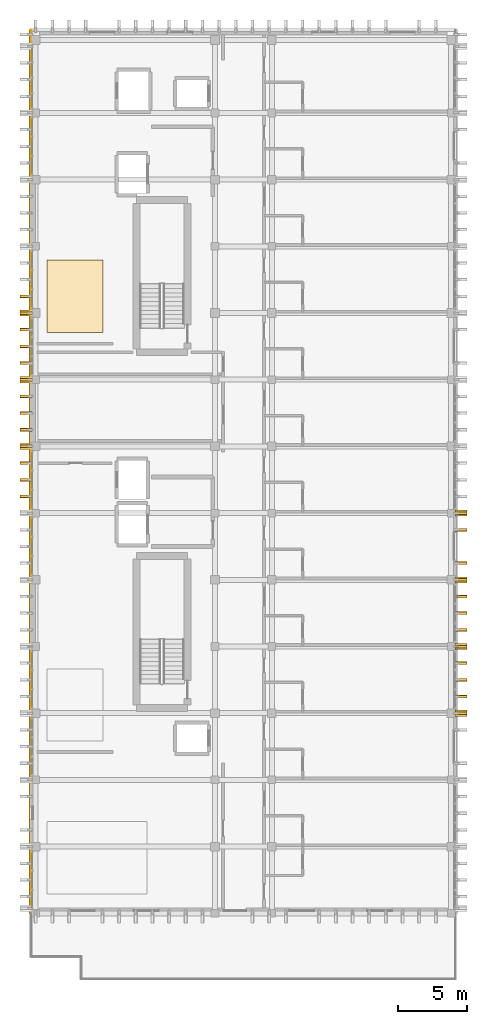
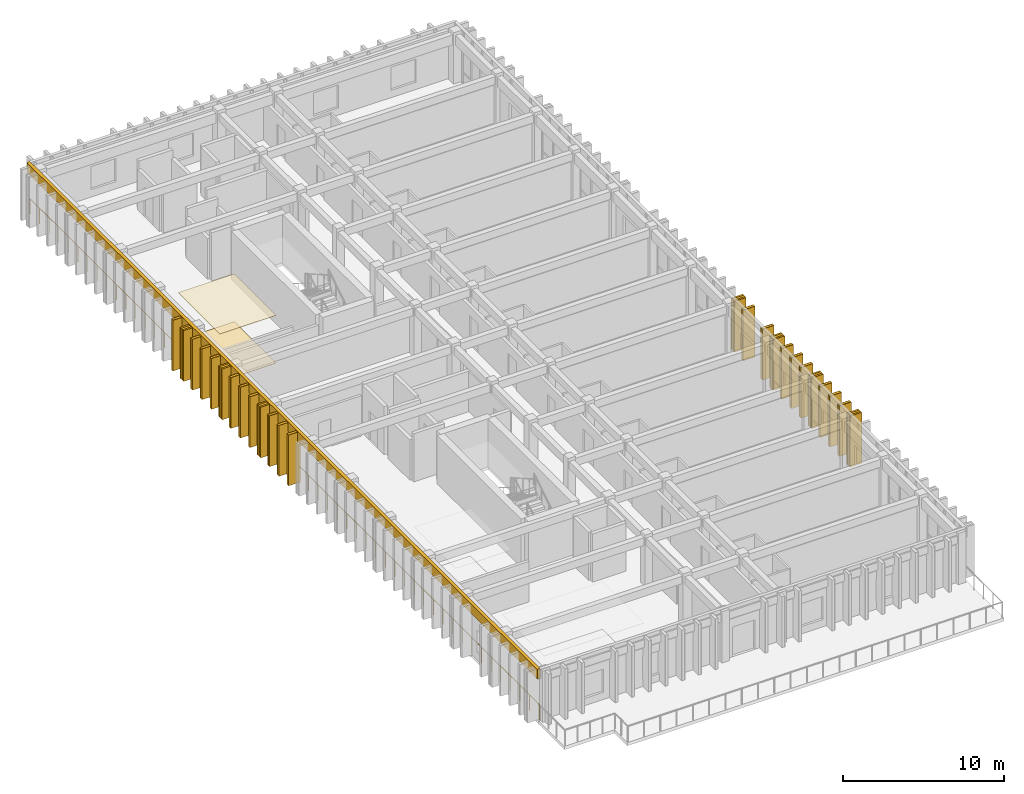
# One storey, part 48 of 50: 28 coverings, 25 shading devices, 1 railing.
"""IFC4 building model written with IfcOpenShell, lengths in metres."""

from ifc_helpers import new_model, si_unit, direction, frame, origin, origin_2d, place, context, subcontext, project, spatial, polyline, rectangle, circle, outline, extrude, material, layer, layer_set, type_object, element, save


model = new_model("IFC4")

# Units and contexts
model_context = context("Model", 3, precision=1e-05, world=origin(), true_north=direction((0.0, 1.0)))
body_context = subcontext(model_context, "Body", "Model", "MODEL_VIEW")
ifc_project = project(units=[si_unit("LENGTHUNIT", "METRE"), si_unit("AREAUNIT", "SQUARE_METRE"), si_unit("VOLUMEUNIT", "CUBIC_METRE"), si_unit("PLANEANGLEUNIT", "RADIAN"), si_unit("MASSUNIT", "GRAM", prefix="KILO")], contexts=[model_context])

# Site, building, storey
site_placement = place(None, origin())
site = spatial("IfcSite", under=ifc_project, at=site_placement, CompositionType="ELEMENT")
building_placement = place(site_placement, origin())
building = spatial("IfcBuilding", under=site, at=building_placement, Name="Nakhvara Creek Congress Hotel", CompositionType="ELEMENT")
storey_placement = place(building_placement, frame((0.0, 0.0, 42.60009765625)))
storey = spatial("IfcBuildingStorey", under=building, at=storey_placement, Name="L10", CompositionType="ELEMENT", Elevation=42.60009765625)

# Coverings
ifc_material_1 = material(Name="Acoustic mineral-fibre and gypsum ceiling board")
ifc_layer_1 = layer(ifc_material_1, 0.0400390625)
ifc_layer_set_1 = layer_set([ifc_layer_1], Name="Acoustic mineral-fibre and gypsum ceiling board")
covering_type_1 = type_object("IfcCoveringType", Name="COV-CEIL-AC", PredefinedType="CEILING", material=ifc_layer_set_1)
covering_1_placement = place(storey_placement, frame((0.0, 0.0, 3.625)))
element("IfcCovering", 1, at=covering_1_placement, inside=storey, type_object=covering_type_1, Name="Acoustic Ceiling L10-WSV-02", PredefinedType="CEILING", context=body_context, shape_type="SweptSolid", body=[
    extrude(outline(polyline([(150.25, 104.199951171875), (154.300048828125, 104.199951171875), (154.300048828125, 109.39990234375), (150.25, 109.39990234375), (150.25, 104.199951171875)])), origin(), (0.0, 0.0, 1.0), 0.034912109375),
])
ifc_material_2 = material(Name="Honed pale Omani limestone architectural cladding", Category="masonry")
ifc_layer_2 = layer(ifc_material_2, 0.219970703125)
ifc_layer_set_2 = layer_set([ifc_layer_2], Name="Honed pale Omani limestone architectural cladding")
covering_type_2 = type_object("IfcCoveringType", Name="COV-FIN-850", PredefinedType="CLADDING", material=ifc_layer_set_2)
covering_2_placement = place(storey_placement, frame((180.054931640625, 76.800048828125, 0.0), z_axis=(0.0, 0.0, 1.0), x_axis=(0.0, 1.0, 0.0)))
element("IfcCovering", 2, at=covering_2_placement, inside=storey, type_object=covering_type_2, Name="Pale Limestone Fin Cladding CF01-2314", PredefinedType="CLADDING", context=body_context, shape_type="SweptSolid", body=[
    extrude(rectangle(XDim=0.43994140625, YDim=0.85009765625, at=origin_2d()), origin(), (0.0, 0.0, 1.0), 3.860107421875),
])
for number, where, z_axis, x_axis, name in (
    (3, (180.054931640625, 78.0, 0.0), (0.0, 0.0, 1.0), (0.0, 1.0, 0.0), "Pale Limestone Fin Cladding CF01-2316"),
    (4, (180.054931640625, 79.199951171875, 0.0), (0.0, 0.0, 1.0), (0.0, 1.0, 0.0), "Pale Limestone Fin Cladding CF01-2318"),
    (5, (180.054931640625, 80.39990234375, 0.0), (0.0, 0.0, 1.0), (0.0, 1.0, 0.0), "Pale Limestone Fin Cladding CF01-2320"),
):
    element("IfcCovering", number, at=place(storey_placement, frame(where, z_axis=z_axis, x_axis=x_axis)), inside=storey, type_object=covering_type_2, Name=name, PredefinedType="CLADDING", context=body_context, shape_type="SweptSolid", body=[
        extrude(rectangle(XDim=0.219970703125, YDim=0.85009765625, at=origin_2d()), origin(), (0.0, 0.0, 1.0), 3.860107421875),
    ])
covering_3_placement = place(storey_placement, frame((180.054931640625, 81.60009765625, 0.0), z_axis=(0.0, 0.0, 1.0), x_axis=(0.0, 1.0, 0.0)))
element("IfcCovering", 6, at=covering_3_placement, inside=storey, type_object=covering_type_2, Name="Pale Limestone Fin Cladding CF01-2322", PredefinedType="CLADDING", context=body_context, shape_type="SweptSolid", body=[
    extrude(rectangle(XDim=0.43994140625, YDim=0.85009765625, at=origin_2d()), origin(), (0.0, 0.0, 1.0), 3.860107421875),
])
for number, where, z_axis, x_axis, name in (
    (7, (180.054931640625, 82.800048828125, 0.0), (0.0, 0.0, 1.0), (0.0, 1.0, 0.0), "Pale Limestone Fin Cladding CF01-2324"),
    (8, (180.054931640625, 84.0, 0.0), (0.0, 0.0, 1.0), (0.0, 1.0, 0.0), "Pale Limestone Fin Cladding CF01-2326"),
    (9, (180.054931640625, 85.199951171875, 0.0), (0.0, 0.0, 1.0), (0.0, 1.0, 0.0), "Pale Limestone Fin Cladding CF01-2328"),
):
    element("IfcCovering", number, at=place(storey_placement, frame(where, z_axis=z_axis, x_axis=x_axis)), inside=storey, type_object=covering_type_2, Name=name, PredefinedType="CLADDING", context=body_context, shape_type="SweptSolid", body=[
        extrude(rectangle(XDim=0.219970703125, YDim=0.85009765625, at=origin_2d()), origin(), (0.0, 0.0, 1.0), 3.860107421875),
    ])
covering_4_placement = place(storey_placement, frame((180.054931640625, 86.39990234375, 0.0), z_axis=(0.0, 0.0, 1.0), x_axis=(0.0, 1.0, 0.0)))
element("IfcCovering", 10, at=covering_4_placement, inside=storey, type_object=covering_type_2, Name="Pale Limestone Fin Cladding CF01-2330", PredefinedType="CLADDING", context=body_context, shape_type="SweptSolid", body=[
    extrude(rectangle(XDim=0.43994140625, YDim=0.85009765625, at=origin_2d()), origin(), (0.0, 0.0, 1.0), 3.860107421875),
])
for number, where, z_axis, x_axis, name in (
    (11, (180.054931640625, 87.60009765625, 0.0), (0.0, 0.0, 1.0), (0.0, 1.0, 0.0), "Pale Limestone Fin Cladding CF01-2332"),
    (12, (180.054931640625, 90.0, 0.0), (0.0, 0.0, 1.0), (0.0, 1.0, 0.0), "Pale Limestone Fin Cladding CF01-2335"),
):
    element("IfcCovering", number, at=place(storey_placement, frame(where, z_axis=z_axis, x_axis=x_axis)), inside=storey, type_object=covering_type_2, Name=name, PredefinedType="CLADDING", context=body_context, shape_type="SweptSolid", body=[
        extrude(rectangle(XDim=0.219970703125, YDim=0.85009765625, at=origin_2d()), origin(), (0.0, 0.0, 1.0), 3.860107421875),
    ])
covering_5_placement = place(storey_placement, frame((180.054931640625, 91.199951171875, 0.0), z_axis=(0.0, 0.0, 1.0), x_axis=(0.0, 1.0, 0.0)))
element("IfcCovering", 13, at=covering_5_placement, inside=storey, type_object=covering_type_2, Name="Pale Limestone Fin Cladding CF01-2337", PredefinedType="CLADDING", context=body_context, shape_type="SweptSolid", body=[
    extrude(rectangle(XDim=0.43994140625, YDim=0.85009765625, at=origin_2d()), origin(), (0.0, 0.0, 1.0), 3.860107421875),
])
for number, where, z_axis, x_axis, name in (
    (14, (148.7451171875, 92.39990234375, 0.0), (0.0, 0.0, 1.0), (0.0, 1.0, 0.0), "Pale Limestone Fin Cladding CF01-2340"),
    (15, (148.7451171875, 93.60009765625, 0.0), (0.0, 0.0, 1.0), (0.0, 1.0, 0.0), "Pale Limestone Fin Cladding CF01-2342"),
    (16, (148.7451171875, 94.800048828125, 0.0), (0.0, 0.0, 1.0), (0.0, 1.0, 0.0), "Pale Limestone Fin Cladding CF01-2344"),
):
    element("IfcCovering", number, at=place(storey_placement, frame(where, z_axis=z_axis, x_axis=x_axis)), inside=storey, type_object=covering_type_2, Name=name, PredefinedType="CLADDING", context=body_context, shape_type="SweptSolid", body=[
        extrude(rectangle(XDim=0.219970703125, YDim=0.85009765625, at=origin_2d()), origin(), (0.0, 0.0, 1.0), 3.860107421875),
    ])
covering_6_placement = place(storey_placement, frame((148.7451171875, 96.0, 0.0), z_axis=(0.0, 0.0, 1.0), x_axis=(0.0, 1.0, 0.0)))
element("IfcCovering", 17, at=covering_6_placement, inside=storey, type_object=covering_type_2, Name="Pale Limestone Fin Cladding CF01-2346", PredefinedType="CLADDING", context=body_context, shape_type="SweptSolid", body=[
    extrude(rectangle(XDim=0.43994140625, YDim=0.85009765625, at=origin_2d()), origin(), (0.0, 0.0, 1.0), 3.860107421875),
])
for number, where, z_axis, x_axis, name in (
    (18, (148.7451171875, 97.199951171875, 0.0), (0.0, 0.0, 1.0), (0.0, 1.0, 0.0), "Pale Limestone Fin Cladding CF01-2348"),
    (19, (148.7451171875, 98.39990234375, 0.0), (0.0, 0.0, 1.0), (0.0, 1.0, 0.0), "Pale Limestone Fin Cladding CF01-2350"),
    (20, (148.7451171875, 99.60009765625, 0.0), (0.0, 0.0, 1.0), (0.0, 1.0, 0.0), "Pale Limestone Fin Cladding CF01-2352"),
):
    element("IfcCovering", number, at=place(storey_placement, frame(where, z_axis=z_axis, x_axis=x_axis)), inside=storey, type_object=covering_type_2, Name=name, PredefinedType="CLADDING", context=body_context, shape_type="SweptSolid", body=[
        extrude(rectangle(XDim=0.219970703125, YDim=0.85009765625, at=origin_2d()), origin(), (0.0, 0.0, 1.0), 3.860107421875),
    ])
covering_7_placement = place(storey_placement, frame((148.7451171875, 100.800048828125, 0.0), z_axis=(0.0, 0.0, 1.0), x_axis=(0.0, 1.0, 0.0)))
element("IfcCovering", 21, at=covering_7_placement, inside=storey, type_object=covering_type_2, Name="Pale Limestone Fin Cladding CF01-2354", PredefinedType="CLADDING", context=body_context, shape_type="SweptSolid", body=[
    extrude(rectangle(XDim=0.43994140625, YDim=0.85009765625, at=origin_2d()), origin(), (0.0, 0.0, 1.0), 3.860107421875),
])
for number, where, z_axis, x_axis, name in (
    (22, (148.7451171875, 102.0, 0.0), (0.0, 0.0, 1.0), (0.0, 1.0, 0.0), "Pale Limestone Fin Cladding CF01-2356"),
    (23, (148.7451171875, 103.199951171875, 0.0), (0.0, 0.0, 1.0), (0.0, 1.0, 0.0), "Pale Limestone Fin Cladding CF01-2357"),
    (24, (148.7451171875, 104.39990234375, 0.0), (0.0, 0.0, 1.0), (0.0, 1.0, 0.0), "Pale Limestone Fin Cladding CF01-2359"),
):
    element("IfcCovering", number, at=place(storey_placement, frame(where, z_axis=z_axis, x_axis=x_axis)), inside=storey, type_object=covering_type_2, Name=name, PredefinedType="CLADDING", context=body_context, shape_type="SweptSolid", body=[
        extrude(rectangle(XDim=0.219970703125, YDim=0.85009765625, at=origin_2d()), origin(), (0.0, 0.0, 1.0), 3.860107421875),
    ])
covering_8_placement = place(storey_placement, frame((148.7451171875, 105.60009765625, 0.0), z_axis=(0.0, 0.0, 1.0), x_axis=(0.0, 1.0, 0.0)))
element("IfcCovering", 25, at=covering_8_placement, inside=storey, type_object=covering_type_2, Name="Pale Limestone Fin Cladding CF01-2361", PredefinedType="CLADDING", context=body_context, shape_type="SweptSolid", body=[
    extrude(rectangle(XDim=0.43994140625, YDim=0.85009765625, at=origin_2d()), origin(), (0.0, 0.0, 1.0), 3.860107421875),
])
covering_9_placement = place(storey_placement, frame((148.7451171875, 106.800048828125, 0.0), z_axis=(0.0, 0.0, 1.0), x_axis=(0.0, 1.0, 0.0)))
element("IfcCovering", 26, at=covering_9_placement, inside=storey, type_object=covering_type_2, Name="Pale Limestone Fin Cladding CF01-2363", PredefinedType="CLADDING", context=body_context, shape_type="SweptSolid", body=[
    extrude(rectangle(XDim=0.219970703125, YDim=0.85009765625, at=origin_2d()), origin(), (0.0, 0.0, 1.0), 3.860107421875),
])
ifc_material_3 = material(Name="Honed limestone and terrazzo acoustic floor finish", Category="masonry")
ifc_layer_3 = layer(ifc_material_3, 0.044921875)
ifc_layer_set_3 = layer_set([ifc_layer_3], Name="Honed limestone and terrazzo acoustic floor finish")
covering_type_3 = type_object("IfcCoveringType", Name="COV-FLR-TER", PredefinedType="FLOORING", material=ifc_layer_set_3)
covering_10_placement = place(storey_placement, origin())
element("IfcCovering", 27, at=covering_10_placement, inside=storey, type_object=covering_type_3, Name="Floor Finish L10-WSV-02", PredefinedType="FLOORING", context=body_context, shape_type="SweptSolid", body=[
    extrude(outline(polyline([(150.25, 104.199951171875), (154.300048828125, 104.199951171875), (154.300048828125, 109.39990234375), (150.25, 109.39990234375), (150.25, 104.199951171875)])), origin(), (0.0, 0.0, 1.0), 0.02978515625),
])
ifc_layer_4 = layer(ifc_material_2, 0.179931640625)
ifc_layer_set_4 = layer_set([ifc_layer_4], Name="Honed pale Omani limestone architectural cladding")
covering_type_4 = type_object("IfcCoveringType", Name="COV-SPN-180", PredefinedType="CLADDING", material=ifc_layer_set_4)
covering_11_placement = place(storey_placement, frame((149.06005859375, 94.199951171875, 3.2099609375), z_axis=(0.0, 0.0, 1.0), x_axis=(0.0, 1.0, 0.0)))
element("IfcCovering", 28, at=covering_11_placement, inside=storey, type_object=covering_type_4, Name="Pale Limestone Spandrel Band CF02-0082", PredefinedType="CLADDING", context=body_context, shape_type="SweptSolid", body=[
    extrude(rectangle(XDim=63.60009765625, YDim=0.219970703125, at=origin_2d()), origin(), (0.0, 0.0, 1.0), 0.72998046875),
])

# Railing
ifc_material_4 = material(Name="Brushed stainless steel 316L", Category="steel")
railing_type = type_object("IfcRailingType", Name="RL-GUARD-1200", PredefinedType="GUARDRAIL", material=ifc_material_4)
railing_placement = place(storey_placement, frame((149.1298828125, 62.47998046875, 0.0)))
element("IfcRailing", 29, at=railing_placement, inside=storey, type_object=railing_type, Name="Perimeter Safety Rail West L10", PredefinedType="GUARDRAIL", context=body_context, shape_type="SweptSolid", body=[
    extrude(circle(Radius=0.02392578125, at=origin_2d()), frame((0.0, 0.0146484375, 1.17578125), z_axis=(0.0, 1.0, 0.0), x_axis=(-1.0, 0.0, 0.0)), (0.0, 0.0, 1.0), 63.41064453125),
    extrude(circle(Radius=0.02099609375, at=origin_2d()), origin(), (0.0, 0.0, 1.0), 1.1806640625),
    extrude(circle(Radius=0.02099609375, at=origin_2d()), frame((0.0, 1.197021484375, 0.0)), (0.0, 0.0, 1.0), 1.1806640625),
    extrude(circle(Radius=0.02099609375, at=origin_2d()), frame((0.0, 2.39404296875, 0.0)), (0.0, 0.0, 1.0), 1.1806640625),
    extrude(circle(Radius=0.02099609375, at=origin_2d()), frame((0.0, 3.5908203125, 0.0)), (0.0, 0.0, 1.0), 1.1806640625),
    extrude(circle(Radius=0.02099609375, at=origin_2d()), frame((0.0, 4.787841796875, 0.0)), (0.0, 0.0, 1.0), 1.1806640625),
    extrude(circle(Radius=0.02099609375, at=origin_2d()), frame((0.0, 5.98486328125, 0.0)), (0.0, 0.0, 1.0), 1.1806640625),
    extrude(circle(Radius=0.02099609375, at=origin_2d()), frame((0.0, 7.181884765625, 0.0)), (0.0, 0.0, 1.0), 1.1806640625),
    extrude(circle(Radius=0.02099609375, at=origin_2d()), frame((0.0, 8.37890625, 0.0)), (0.0, 0.0, 1.0), 1.1806640625),
    extrude(circle(Radius=0.02099609375, at=origin_2d()), frame((0.0, 9.575927734375, 0.0)), (0.0, 0.0, 1.0), 1.1806640625),
    extrude(circle(Radius=0.02099609375, at=origin_2d()), frame((0.0, 10.772705078125, 0.0)), (0.0, 0.0, 1.0), 1.1806640625),
    extrude(circle(Radius=0.02099609375, at=origin_2d()), frame((0.0, 11.9697265625, 0.0)), (0.0, 0.0, 1.0), 1.1806640625),
    extrude(circle(Radius=0.02099609375, at=origin_2d()), frame((0.0, 13.166748046875, 0.0)), (0.0, 0.0, 1.0), 1.1806640625),
    extrude(circle(Radius=0.02099609375, at=origin_2d()), frame((0.0, 14.36376953125, 0.0)), (0.0, 0.0, 1.0), 1.1806640625),
    extrude(circle(Radius=0.02099609375, at=origin_2d()), frame((0.0, 15.560791015625, 0.0)), (0.0, 0.0, 1.0), 1.1806640625),
    extrude(circle(Radius=0.02099609375, at=origin_2d()), frame((0.0, 16.7578125, 0.0)), (0.0, 0.0, 1.0), 1.1806640625),
    extrude(circle(Radius=0.02099609375, at=origin_2d()), frame((0.0, 17.95458984375, 0.0)), (0.0, 0.0, 1.0), 1.1806640625),
    extrude(circle(Radius=0.02099609375, at=origin_2d()), frame((0.0, 19.151611328125, 0.0)), (0.0, 0.0, 1.0), 1.1806640625),
    extrude(circle(Radius=0.02099609375, at=origin_2d()), frame((0.0, 20.3486328125, 0.0)), (0.0, 0.0, 1.0), 1.1806640625),
    extrude(circle(Radius=0.02099609375, at=origin_2d()), frame((0.0, 21.545654296875, 0.0)), (0.0, 0.0, 1.0), 1.1806640625),
    extrude(circle(Radius=0.02099609375, at=origin_2d()), frame((0.0, 22.74267578125, 0.0)), (0.0, 0.0, 1.0), 1.1806640625),
    extrude(circle(Radius=0.02099609375, at=origin_2d()), frame((0.0, 23.939697265625, 0.0)), (0.0, 0.0, 1.0), 1.1806640625),
    extrude(circle(Radius=0.02099609375, at=origin_2d()), frame((0.0, 25.136474609375, 0.0)), (0.0, 0.0, 1.0), 1.1806640625),
    extrude(circle(Radius=0.02099609375, at=origin_2d()), frame((0.0, 26.33349609375, 0.0)), (0.0, 0.0, 1.0), 1.1806640625),
    extrude(circle(Radius=0.02099609375, at=origin_2d()), frame((0.0, 27.530517578125, 0.0)), (0.0, 0.0, 1.0), 1.1806640625),
    extrude(circle(Radius=0.02099609375, at=origin_2d()), frame((0.0, 28.7275390625, 0.0)), (0.0, 0.0, 1.0), 1.1806640625),
    extrude(circle(Radius=0.02099609375, at=origin_2d()), frame((0.0, 29.924560546875, 0.0)), (0.0, 0.0, 1.0), 1.1806640625),
    extrude(circle(Radius=0.02099609375, at=origin_2d()), frame((0.0, 31.12158203125, 0.0)), (0.0, 0.0, 1.0), 1.1806640625),
    extrude(circle(Radius=0.02099609375, at=origin_2d()), frame((0.0, 32.318359375, 0.0)), (0.0, 0.0, 1.0), 1.1806640625),
    extrude(circle(Radius=0.02099609375, at=origin_2d()), frame((0.0, 33.515380859375, 0.0)), (0.0, 0.0, 1.0), 1.1806640625),
    extrude(circle(Radius=0.02099609375, at=origin_2d()), frame((0.0, 34.71240234375, 0.0)), (0.0, 0.0, 1.0), 1.1806640625),
    extrude(circle(Radius=0.02099609375, at=origin_2d()), frame((0.0, 35.909423828125, 0.0)), (0.0, 0.0, 1.0), 1.1806640625),
    extrude(circle(Radius=0.02099609375, at=origin_2d()), frame((0.0, 37.1064453125, 0.0)), (0.0, 0.0, 1.0), 1.1806640625),
    extrude(circle(Radius=0.02099609375, at=origin_2d()), frame((0.0, 38.303466796875, 0.0)), (0.0, 0.0, 1.0), 1.1806640625),
    extrude(circle(Radius=0.02099609375, at=origin_2d()), frame((0.0, 39.500244140625, 0.0)), (0.0, 0.0, 1.0), 1.1806640625),
    extrude(circle(Radius=0.02099609375, at=origin_2d()), frame((0.0, 40.697265625, 0.0)), (0.0, 0.0, 1.0), 1.1806640625),
    extrude(circle(Radius=0.02099609375, at=origin_2d()), frame((0.0, 41.894287109375, 0.0)), (0.0, 0.0, 1.0), 1.1806640625),
    extrude(circle(Radius=0.02099609375, at=origin_2d()), frame((0.0, 43.09130859375, 0.0)), (0.0, 0.0, 1.0), 1.1806640625),
    extrude(circle(Radius=0.02099609375, at=origin_2d()), frame((0.0, 44.288330078125, 0.0)), (0.0, 0.0, 1.0), 1.1806640625),
    extrude(circle(Radius=0.02099609375, at=origin_2d()), frame((0.0, 45.4853515625, 0.0)), (0.0, 0.0, 1.0), 1.1806640625),
    extrude(circle(Radius=0.02099609375, at=origin_2d()), frame((0.0, 46.68212890625, 0.0)), (0.0, 0.0, 1.0), 1.1806640625),
    extrude(circle(Radius=0.02099609375, at=origin_2d()), frame((0.0, 47.879150390625, 0.0)), (0.0, 0.0, 1.0), 1.1806640625),
    extrude(circle(Radius=0.02099609375, at=origin_2d()), frame((0.0, 49.076171875, 0.0)), (0.0, 0.0, 1.0), 1.1806640625),
    extrude(circle(Radius=0.02099609375, at=origin_2d()), frame((0.0, 50.273193359375, 0.0)), (0.0, 0.0, 1.0), 1.1806640625),
    extrude(circle(Radius=0.02099609375, at=origin_2d()), frame((0.0, 51.47021484375, 0.0)), (0.0, 0.0, 1.0), 1.1806640625),
    extrude(circle(Radius=0.02099609375, at=origin_2d()), frame((0.0, 52.667236328125, 0.0)), (0.0, 0.0, 1.0), 1.1806640625),
    extrude(circle(Radius=0.02099609375, at=origin_2d()), frame((0.0, 53.864013671875, 0.0)), (0.0, 0.0, 1.0), 1.1806640625),
    extrude(circle(Radius=0.02099609375, at=origin_2d()), frame((0.0, 55.06103515625, 0.0)), (0.0, 0.0, 1.0), 1.1806640625),
    extrude(circle(Radius=0.02099609375, at=origin_2d()), frame((0.0, 56.258056640625, 0.0)), (0.0, 0.0, 1.0), 1.1806640625),
    extrude(circle(Radius=0.02099609375, at=origin_2d()), frame((0.0, 57.455078125, 0.0)), (0.0, 0.0, 1.0), 1.1806640625),
    extrude(circle(Radius=0.02099609375, at=origin_2d()), frame((0.0, 58.652099609375, 0.0)), (0.0, 0.0, 1.0), 1.1806640625),
    extrude(circle(Radius=0.02099609375, at=origin_2d()), frame((0.0, 59.84912109375, 0.0)), (0.0, 0.0, 1.0), 1.1806640625),
    extrude(circle(Radius=0.02099609375, at=origin_2d()), frame((0.0, 61.0458984375, 0.0)), (0.0, 0.0, 1.0), 1.1806640625),
    extrude(circle(Radius=0.02099609375, at=origin_2d()), frame((0.0, 62.242919921875, 0.0)), (0.0, 0.0, 1.0), 1.1806640625),
    extrude(circle(Radius=0.02099609375, at=origin_2d()), frame((0.0, 63.43994140625, 0.0)), (0.0, 0.0, 1.0), 1.1806640625),
])

# Shading devices
ifc_material_5 = material(Name="Honed pale Omani limestone cladding on stainless steel spine", Category="masonry")
shading_device_type = type_object("IfcShadingDeviceType", Name="SHD-FIN-850X3600", PredefinedType="USERDEFINED", material=ifc_material_5)
for number, where, z_axis, x_axis, name in (
    (30, (180.054931640625, 76.800048828125, 0.0), (0.0, 0.0, 1.0), (0.0, 1.0, 0.0), "Limestone Solar Fin FN01-2179"),
    (31, (180.054931640625, 78.0, 0.0), (0.0, 0.0, 1.0), (0.0, 1.0, 0.0), "Limestone Solar Fin FN01-2181"),
    (32, (180.054931640625, 79.199951171875, 0.0), (0.0, 0.0, 1.0), (0.0, 1.0, 0.0), "Limestone Solar Fin FN01-2183"),
    (33, (180.054931640625, 80.39990234375, 0.0), (0.0, 0.0, 1.0), (0.0, 1.0, 0.0), "Limestone Solar Fin FN01-2185"),
    (34, (180.054931640625, 81.60009765625, 0.0), (0.0, 0.0, 1.0), (0.0, 1.0, 0.0), "Limestone Solar Fin FN01-2187"),
    (35, (180.054931640625, 82.800048828125, 0.0), (0.0, 0.0, 1.0), (0.0, 1.0, 0.0), "Limestone Solar Fin FN01-2189"),
    (36, (180.054931640625, 84.0, 0.0), (0.0, 0.0, 1.0), (0.0, 1.0, 0.0), "Limestone Solar Fin FN01-2191"),
    (37, (180.054931640625, 85.199951171875, 0.0), (0.0, 0.0, 1.0), (0.0, 1.0, 0.0), "Limestone Solar Fin FN01-2193"),
    (38, (180.054931640625, 86.39990234375, 0.0), (0.0, 0.0, 1.0), (0.0, 1.0, 0.0), "Limestone Solar Fin FN01-2195"),
    (39, (180.054931640625, 87.60009765625, 0.0), (0.0, 0.0, 1.0), (0.0, 1.0, 0.0), "Limestone Solar Fin FN01-2197"),
    (40, (180.054931640625, 90.0, 0.0), (0.0, 0.0, 1.0), (0.0, 1.0, 0.0), "Limestone Solar Fin FN01-2200"),
    (41, (180.054931640625, 91.199951171875, 0.0), (0.0, 0.0, 1.0), (0.0, 1.0, 0.0), "Limestone Solar Fin FN01-2202"),
    (42, (148.7451171875, 92.39990234375, 0.0), (0.0, 0.0, 1.0), (0.0, 1.0, 0.0), "Limestone Solar Fin FN01-2205"),
    (43, (148.7451171875, 93.60009765625, 0.0), (0.0, 0.0, 1.0), (0.0, 1.0, 0.0), "Limestone Solar Fin FN01-2207"),
    (44, (148.7451171875, 94.800048828125, 0.0), (0.0, 0.0, 1.0), (0.0, 1.0, 0.0), "Limestone Solar Fin FN01-2209"),
    (45, (148.7451171875, 96.0, 0.0), (0.0, 0.0, 1.0), (0.0, 1.0, 0.0), "Limestone Solar Fin FN01-2211"),
    (46, (148.7451171875, 97.199951171875, 0.0), (0.0, 0.0, 1.0), (0.0, 1.0, 0.0), "Limestone Solar Fin FN01-2213"),
    (47, (148.7451171875, 98.39990234375, 0.0), (0.0, 0.0, 1.0), (0.0, 1.0, 0.0), "Limestone Solar Fin FN01-2215"),
    (48, (148.7451171875, 99.60009765625, 0.0), (0.0, 0.0, 1.0), (0.0, 1.0, 0.0), "Limestone Solar Fin FN01-2217"),
    (49, (148.7451171875, 100.800048828125, 0.0), (0.0, 0.0, 1.0), (0.0, 1.0, 0.0), "Limestone Solar Fin FN01-2219"),
    (50, (148.7451171875, 102.0, 0.0), (0.0, 0.0, 1.0), (0.0, 1.0, 0.0), "Limestone Solar Fin FN01-2221"),
    (51, (148.7451171875, 103.199951171875, 0.0), (0.0, 0.0, 1.0), (0.0, 1.0, 0.0), "Limestone Solar Fin FN01-2222"),
    (52, (148.7451171875, 104.39990234375, 0.0), (0.0, 0.0, 1.0), (0.0, 1.0, 0.0), "Limestone Solar Fin FN01-2224"),
    (53, (148.7451171875, 105.60009765625, 0.0), (0.0, 0.0, 1.0), (0.0, 1.0, 0.0), "Limestone Solar Fin FN01-2226"),
    (54, (148.7451171875, 106.800048828125, 0.0), (0.0, 0.0, 1.0), (0.0, 1.0, 0.0), "Limestone Solar Fin FN01-2228"),
):
    element("IfcShadingDevice", number, at=place(storey_placement, frame(where, z_axis=z_axis, x_axis=x_axis)), inside=storey, type_object=shading_device_type, Name=name, ObjectType="FIN", PredefinedType="USERDEFINED", context=body_context, shape_type="SweptSolid", body=[
        extrude(rectangle(XDim=0.179931640625, YDim=0.85009765625, at=origin_2d()), origin(), (0.0, 0.0, 1.0), 3.860107421875),
    ])

save(model, "model.ifc")
